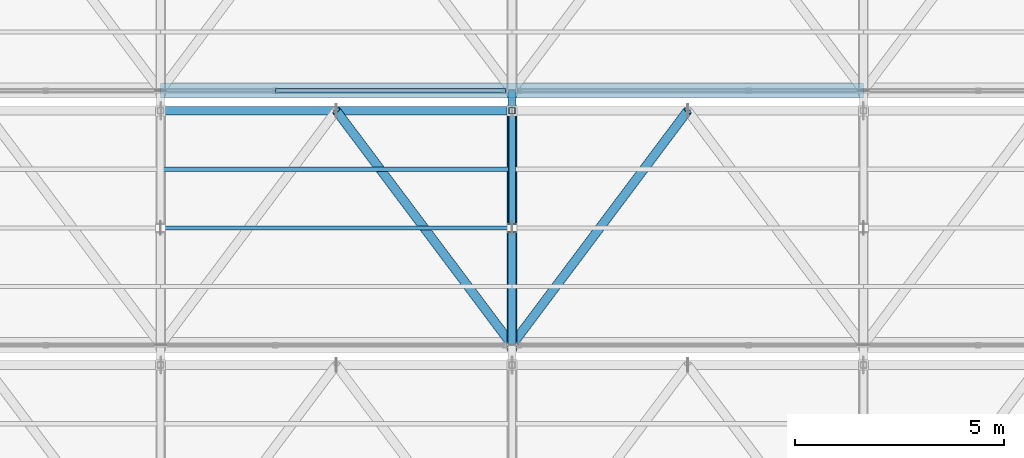
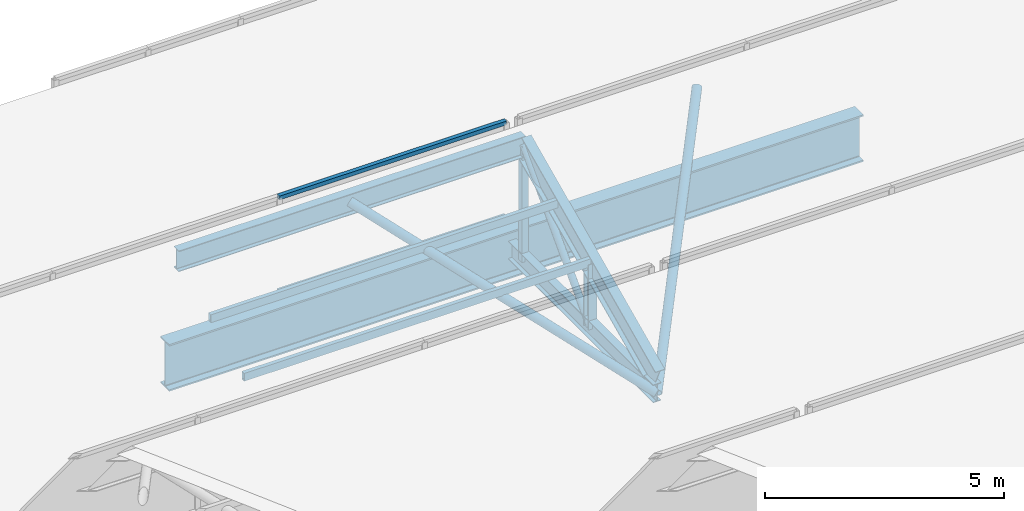
# One storey, part 123 of 217: 12 members, 1 beam, 1 element without a shape of its own.
"""IFC4 building model written with IfcOpenShell, lengths in metres."""

from ifc_helpers import new_model, si_unit, direction, frame, origin, origin_2d, place, context, subcontext, project, spatial, hollow_rectangle, hollow_circle, i_section, extrude, material, material_profile, profile_set, type_object, element, aggregate, save


model = new_model("IFC4")

# Units and contexts
model_context = context("Model", 3, precision=1e-05, world=origin(), true_north=direction((0.0, 1.0)))
body_context = subcontext(model_context, "Body", "Model", "MODEL_VIEW")
ifc_project = project(units=[si_unit("LENGTHUNIT", "METRE"), si_unit("AREAUNIT", "SQUARE_METRE"), si_unit("VOLUMEUNIT", "CUBIC_METRE"), si_unit("PLANEANGLEUNIT", "RADIAN"), si_unit("MASSUNIT", "GRAM", prefix="KILO")], contexts=[model_context])

# Site, building, storey
site_placement = place(None, origin())
site = spatial("IfcSite", under=ifc_project, at=site_placement, CompositionType="ELEMENT")
building_placement = place(site_placement, origin())
building = spatial("IfcBuilding", under=site, at=building_placement, Name="Zuvorla Pavilion Media Centre", CompositionType="ELEMENT")
storey_placement = place(building_placement, frame((0.0, 0.0, 9.60009765625)))
storey = spatial("IfcBuildingStorey", under=building, at=storey_placement, Name="L02", CompositionType="ELEMENT", Elevation=9.60009765625)

# Beam
ifc_material_1 = material(Name="Steel S355", Category="steel")
ifc_material_profile_1 = material_profile(ifc_material_1, i_section(OverallWidth=0.360107421875, OverallDepth=1.199951171875, WebThickness=0.02001953125, FlangeThickness=0.0380859375, FilletRadius=0.02392578125, at=origin_2d()), Name="PG 1200x360x38")
ifc_profile_set_1 = profile_set([ifc_material_profile_1], Name="Steel S355")
beam_type = type_object("IfcBeamType", Name="BM-PG1200", PredefinedType="BEAM", material=ifc_profile_set_1)
beam_placement = place(storey_placement, frame((108.800048828125, 113.919921875, -0.88818359375), z_axis=(1.0, 0.0, 0.0), x_axis=(0.0, 1.0, 0.0)))
element("IfcBeam", 1, at=beam_placement, inside=storey, type_object=beam_type, Name="L02 beam B01 1806", PredefinedType="BEAM", context=body_context, shape_type="SweptSolid", body=[
    extrude(i_section(OverallWidth=0.360107421875, OverallDepth=1.199951171875, WebThickness=0.02001953125, FlangeThickness=0.0380859375, FilletRadius=0.02392578125, at=origin_2d()), origin(), (0.0, 0.0, 1.0), 16.800048828125),
])

# Curtain wall, members
ifc_material_2 = material(Name="Unitised anodised aluminium and solar glass curtain wall", Category="aluminium")
curtain_wall_type = type_object("IfcCurtainWallType", Name="CW-SYS-88", PredefinedType="USERDEFINED", material=ifc_material_2)
curtain_wall_placement = place(storey_placement, origin())
curtain_wall = element("IfcCurtainWall", 2, at=curtain_wall_placement, inside=storey, type_object=curtain_wall_type, Name="L02 curtain wall CW88 214", ObjectType="CURTAIN WALL", PredefinedType="USERDEFINED")
ifc_material_3 = material(Name="Anodised aluminium 6063-T6", Category="aluminium")
ifc_material_profile_2 = material_profile(ifc_material_3, hollow_rectangle(XDim=0.10009765625, YDim=0.10009765625, WallThickness=0.00439453125, at=origin_2d()), Name="ALU TRAN 100x100")
ifc_profile_set_2 = profile_set([ifc_material_profile_2], Name="Anodised aluminium 6063-T6")
member_type_1 = type_object("IfcMemberType", Name="CW-TRAN-100", PredefinedType="USERDEFINED", material=ifc_profile_set_2)
member_1_placement = place(storey_placement, frame((111.546630859375, 113.919921875, 0.0), z_axis=(1.0, 0.0, 0.0), x_axis=(0.0, 1.0, 0.0)))
member_1 = element("IfcMember", 3, at=member_1_placement, type_object=member_type_1, Name="CW88 transom 3.1", ObjectType="TRANSOM", PredefinedType="USERDEFINED", context=body_context, shape_type="SweptSolid", body=[
    extrude(hollow_rectangle(XDim=0.10009765625, YDim=0.10009765625, WallThickness=0.00439453125, at=origin_2d()), origin(), (0.0, 0.0, 1.0), 5.493408203125),
])
member_2_placement = place(storey_placement, frame((111.546630859375, 113.919921875, 2.419921875), z_axis=(1.0, 0.0, 0.0), x_axis=(0.0, 1.0, 0.0)))
member_2 = element("IfcMember", 4, at=member_2_placement, type_object=member_type_1, Name="CW88 transom 3.2", ObjectType="TRANSOM", PredefinedType="USERDEFINED", context=body_context, shape_type="SweptSolid", body=[
    extrude(hollow_rectangle(XDim=0.10009765625, YDim=0.10009765625, WallThickness=0.00439453125, at=origin_2d()), origin(), (0.0, 0.0, 1.0), 5.493408203125),
])
aggregate(curtain_wall, [member_1, member_2])

# Members
ifc_material_profile_3 = material_profile(ifc_material_1, hollow_circle(Radius=0.084228515625, WallThickness=0.008056640625, at=origin_2d()), Name="CHS 168.3x8")
ifc_profile_set_3 = profile_set([ifc_material_profile_3], Name="Steel S355")
member_type_2 = type_object("IfcMemberType", Name="MEM-BRC-CHS168", PredefinedType="BRACE", material=ifc_profile_set_3)
member_3_placement = place(storey_placement, frame((117.199951171875, 110.639892578125, -0.880126953125), z_axis=(0.0, 0.68676242614, 0.726881950555), x_axis=(-1.0, 0.0, 0.0)))
element("IfcMember", 5, at=member_3_placement, inside=storey, type_object=member_type_2, Name="L02 diagonal brace TB03 345", PredefinedType="BRACE", context=body_context, shape_type="SweptSolid", body=[
    extrude(hollow_circle(Radius=0.084228515625, WallThickness=0.008056640625, at=origin_2d()), origin(), (0.0, 0.0, 1.0), 4.0771484375),
])
ifc_material_profile_4 = material_profile(ifc_material_1, hollow_circle(Radius=0.109619140625, WallThickness=0.010009765625, at=origin_2d()), Name="CHS 219.1x10")
ifc_profile_set_4 = profile_set([ifc_material_profile_4], Name="Steel S355")
member_type_3 = type_object("IfcMemberType", Name="MEM-BRC-CHS219", PredefinedType="BRACE", material=ifc_profile_set_4)
for number, where, z_axis, x_axis, name in (
    (6, (113.0, 113.43994140625, 2.08349609375), (0.552524670006, -0.736688854033, -0.389879495972), (0.799995814625, 0.600005580459, 0.0), "L02 diagonal brace TB02 389"),
    (7, (117.199951171875, 107.840087890625, -0.880126953125), (0.552524670006, 0.736688854033, 0.389879495972), (-0.799995814625, 0.600005580459, 0.0), "L02 diagonal brace TB02 394"),
):
    element("IfcMember", number, at=place(storey_placement, frame(where, z_axis=z_axis, x_axis=x_axis)), inside=storey, type_object=member_type_3, Name=name, PredefinedType="BRACE", context=body_context, shape_type="SweptSolid", body=[
        extrude(hollow_circle(Radius=0.109619140625, WallThickness=0.010009765625, at=origin_2d()), origin(), (0.0, 0.0, 1.0), 7.601318359375),
    ])
ifc_material_profile_5 = material_profile(ifc_material_1, i_section(OverallWidth=0.19140625, OverallDepth=0.4599609375, WebThickness=0.010009765625, FlangeThickness=0.01611328125, FilletRadius=0.01025390625, at=origin_2d()), Name="UB 457x191x82")
ifc_profile_set_5 = profile_set([ifc_material_profile_5], Name="Steel S355")
member_type_4 = type_object("IfcMemberType", Name="MEM-CHD-UB457", PredefinedType="CHORD", material=ifc_profile_set_5)
member_4_placement = place(storey_placement, frame((117.199951171875, 107.840087890625, -0.880126953125), z_axis=(0.0, 1.0, 0.0), x_axis=(-1.0, 0.0, 0.0)))
element("IfcMember", 8, at=member_4_placement, inside=storey, type_object=member_type_4, Name="L02 chord TC03 342", PredefinedType="CHORD", context=body_context, shape_type="SweptSolid", body=[
    extrude(i_section(OverallWidth=0.19140625, OverallDepth=0.4599609375, WebThickness=0.010009765625, FlangeThickness=0.01611328125, FilletRadius=0.01025390625, at=origin_2d()), origin(), (0.0, 0.0, 1.0), 6.079833984375),
])
ifc_material_profile_6 = material_profile(ifc_material_1, i_section(OverallWidth=0.2099609375, OverallDepth=0.53662109375, WebThickness=0.0107421875, FlangeThickness=0.017333984375, FilletRadius=0.0126953125, at=origin_2d()), Name="UB 533x210x101")
ifc_profile_set_6 = profile_set([ifc_material_profile_6], Name="Steel S355")
member_type_5 = type_object("IfcMemberType", Name="MEM-CHD-UB533", PredefinedType="CHORD", material=ifc_profile_set_6)
member_5_placement = place(storey_placement, frame((108.800048828125, 113.43994140625, 2.08349609375), z_axis=(1.0, 0.0, 0.0), x_axis=(0.0, 1.0, 0.0)))
element("IfcMember", 9, at=member_5_placement, inside=storey, type_object=member_type_5, Name="L02 chord TC02 387", PredefinedType="CHORD", context=body_context, shape_type="SweptSolid", body=[
    extrude(i_section(OverallWidth=0.2099609375, OverallDepth=0.53662109375, WebThickness=0.0107421875, FlangeThickness=0.017333984375, FilletRadius=0.0126953125, at=origin_2d()), origin(), (0.0, 0.0, 1.0), 8.39990234375),
])
ifc_material_profile_7 = material_profile(ifc_material_1, i_section(OverallWidth=0.22900390625, OverallDepth=0.6123046875, WebThickness=0.011962890625, FlangeThickness=0.01953125, FilletRadius=0.0126953125, at=origin_2d()), Name="UB 610x229x125")
ifc_profile_set_7 = profile_set([ifc_material_profile_7], Name="Steel S355")
member_type_6 = type_object("IfcMemberType", Name="MEM-CHD-UB610", PredefinedType="CHORD", material=ifc_profile_set_7)
member_6_placement = place(storey_placement, frame((117.199951171875, 107.840087890625, -0.5166015625), z_axis=(0.0, 0.906998718654, 0.421133380724), x_axis=(-1.0, 0.0, 0.0)))
element("IfcMember", 10, at=member_6_placement, inside=storey, type_object=member_type_6, Name="L02 chord TC01 343", PredefinedType="CHORD", context=body_context, shape_type="SweptSolid", body=[
    extrude(i_section(OverallWidth=0.22900390625, OverallDepth=0.6123046875, WebThickness=0.011962890625, FlangeThickness=0.01953125, FilletRadius=0.0126953125, at=origin_2d()), origin(), (0.0, 0.0, 1.0), 6.174072265625),
])
ifc_material_profile_8 = material_profile(ifc_material_1, hollow_rectangle(XDim=0.10009765625, YDim=0.199951171875, WallThickness=0.008056640625, at=origin_2d()), Name="RHS 200x100x8")
ifc_profile_set_8 = profile_set([ifc_material_profile_8], Name="Steel S355")
member_type_7 = type_object("IfcMemberType", Name="MEM-PUR-RHS200", PredefinedType="PURLIN", material=ifc_profile_set_8)
for number, where, z_axis, x_axis, name in (
    (11, (108.800048828125, 110.639892578125, 0.783447265625), (1.0, 0.0, 0.0), (0.0, 1.0, 0.0), "L02 purlin PR01 391"),
    (12, (108.800048828125, 112.0400390625, 1.43359375), (1.0, 0.0, 0.0), (0.0, 1.0, 0.0), "L02 purlin PR01 392"),
):
    element("IfcMember", number, at=place(storey_placement, frame(where, z_axis=z_axis, x_axis=x_axis)), inside=storey, type_object=member_type_7, Name=name, PredefinedType="PURLIN", context=body_context, shape_type="SweptSolid", body=[
        extrude(hollow_rectangle(XDim=0.10009765625, YDim=0.199951171875, WallThickness=0.008056640625, at=origin_2d()), origin(), (0.0, 0.0, 1.0), 8.39990234375),
    ])
ifc_material_profile_9 = material_profile(ifc_material_1, hollow_rectangle(XDim=0.14990234375, YDim=0.14990234375, WallThickness=0.008056640625, at=origin_2d()), Name="SHS 150x150x8")
ifc_profile_set_9 = profile_set([ifc_material_profile_9], Name="Steel S355")
member_type_8 = type_object("IfcMemberType", Name="MEM-STR-SHS150", PredefinedType="STRUT", material=ifc_profile_set_9)
member_7_placement = place(storey_placement, frame((117.199951171875, 113.43994140625, -0.880126953125), z_axis=(0.0, 0.0, 1.0), x_axis=(1.0, 0.0, 0.0)))
element("IfcMember", 13, at=member_7_placement, inside=storey, type_object=member_type_8, Name="L02 vertical strut TS01 344", PredefinedType="STRUT", context=body_context, shape_type="SweptSolid", body=[
    extrude(hollow_rectangle(XDim=0.14990234375, YDim=0.14990234375, WallThickness=0.008056640625, at=origin_2d()), origin(), (0.0, 0.0, 1.0), 2.963623046875),
])
ifc_material_profile_10 = material_profile(ifc_material_1, i_section(OverallWidth=0.205810546875, OverallDepth=0.209716796875, WebThickness=0.009521484375, FlangeThickness=0.01416015625, FilletRadius=0.01025390625, at=origin_2d()), Name="UC 203x203x60")
ifc_profile_set_10 = profile_set([ifc_material_profile_10], Name="Steel S355")
member_type_9 = type_object("IfcMemberType", Name="MEM-STR-UC203", PredefinedType="STRUT", material=ifc_profile_set_10)
member_8_placement = place(storey_placement, frame((117.199951171875, 110.639892578125, -0.880126953125), z_axis=(0.0, 0.0, 1.0), x_axis=(1.0, 0.0, 0.0)))
element("IfcMember", 14, at=member_8_placement, inside=storey, type_object=member_type_9, Name="L02 vertical strut TS02 346", PredefinedType="STRUT", context=body_context, shape_type="SweptSolid", body=[
    extrude(i_section(OverallWidth=0.205810546875, OverallDepth=0.209716796875, WebThickness=0.009521484375, FlangeThickness=0.01416015625, FilletRadius=0.01025390625, at=origin_2d()), origin(), (0.0, 0.0, 1.0), 1.66357421875),
])

save(model, "model.ifc")
